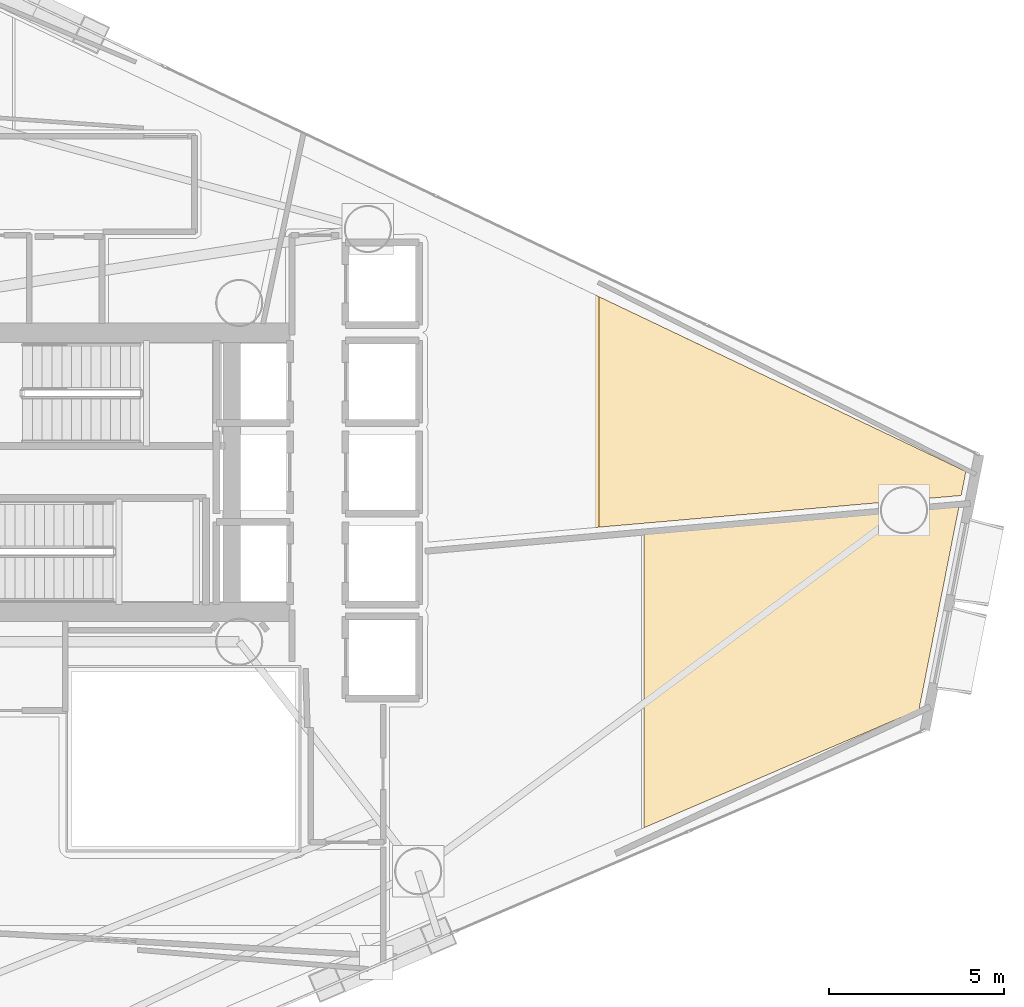
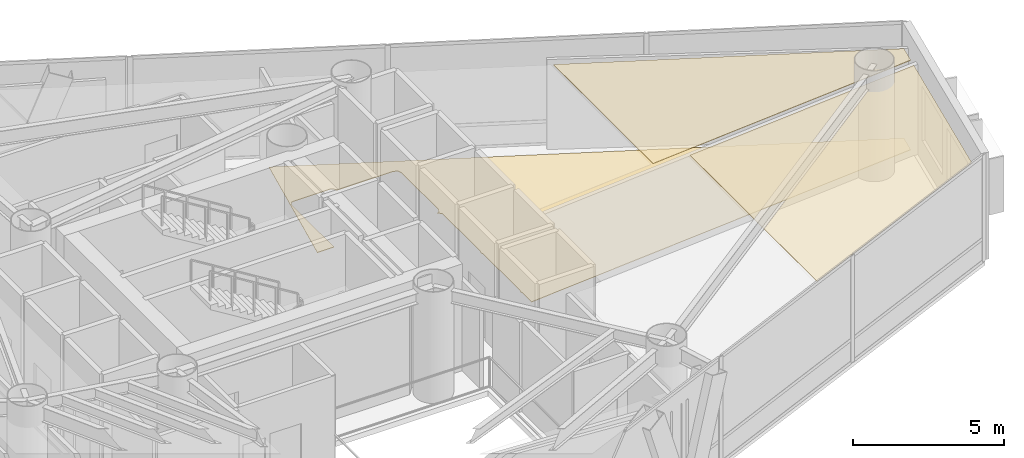
# One storey, part 21 of 21: 3 coverings.
"""IFC4 building model written with IfcOpenShell, lengths in metres."""

from ifc_helpers import new_model, si_unit, direction, frame, origin, place, context, subcontext, project, spatial, polyline, outline, extrude, material, layer, layer_set, type_object, element, save


model = new_model("IFC4")

# Units and contexts
model_context = context("Model", 3, precision=1e-05, world=origin(), true_north=direction((0.0, 1.0)))
body_context = subcontext(model_context, "Body", "Model", "MODEL_VIEW")
ifc_project = project(units=[si_unit("LENGTHUNIT", "METRE"), si_unit("AREAUNIT", "SQUARE_METRE"), si_unit("VOLUMEUNIT", "CUBIC_METRE"), si_unit("PLANEANGLEUNIT", "RADIAN"), si_unit("MASSUNIT", "GRAM", prefix="KILO")], contexts=[model_context])

# Site, building, storey
site_placement = place(None, origin())
site = spatial("IfcSite", under=ifc_project, at=site_placement, CompositionType="ELEMENT")
building_placement = place(site_placement, origin())
building = spatial("IfcBuilding", under=site, at=building_placement, Name="Qianvela Tower", CompositionType="ELEMENT")
storey_placement = place(building_placement, frame((0.0, 0.0, 143.10009765625)))
storey = spatial("IfcBuildingStorey", under=building, at=storey_placement, Name="L36", CompositionType="ELEMENT", Elevation=143.10009765625)

# Coverings
ifc_material_1 = material(Name="Perforated Mineral Acoustic Ceiling Tile")
ifc_layer_1 = layer(ifc_material_1, 0.02490234375)
ifc_layer_set_1 = layer_set([ifc_layer_1], Name="Perforated Mineral Acoustic Ceiling Tile")
covering_type_1 = type_object("IfcCoveringType", Name="COV-CEIL-ACOUSTIC-25", PredefinedType="CEILING", material=ifc_layer_set_1)
covering_1_placement = place(storey_placement, frame((0.0, 0.0, 3.614990234375)))
element("IfcCovering", 1, at=covering_1_placement, inside=storey, type_object=covering_type_1, Name="L36 Acoustic Ceiling Bay 2 L36 Shared Sky Kitchen and Cafe", PredefinedType="CEILING", context=body_context, shape_type="SweptSolid", body=[
    extrude(outline(polyline([(59.010986328125, 27.7314453125), (57.86328125, 21.904541015625), (49.99658203125, 18.527587890625), (49.99658203125, 26.942626953125), (59.010986328125, 27.7314453125)])), origin(), (0.0, 0.0, 1.0), 0.02490234375),
])
covering_2_placement = place(storey_placement, frame((0.0, 0.0, 3.614990234375)))
element("IfcCovering", 2, at=covering_2_placement, inside=storey, type_object=covering_type_1, Name="L36 Acoustic Ceiling Bay 2 L36 Academic Seminar Room", PredefinedType="CEILING", context=body_context, shape_type="SweptSolid", body=[
    extrude(outline(polyline([(59.206787109375, 28.72509765625), (59.0712890625, 28.037841796875), (48.69482421875, 27.1298828125), (48.69482421875, 33.73291015625), (59.206787109375, 28.72509765625)])), origin(), (0.0, 0.0, 1.0), 0.02490234375),
])
ifc_material_2 = material(Name="Engineered Acoustic Oak Timber Flooring", Category="wood")
ifc_layer_2 = layer(ifc_material_2, 0.02001953125)
ifc_layer_set_2 = layer_set([ifc_layer_2], Name="Engineered Acoustic Oak Timber Flooring")
covering_type_2 = type_object("IfcCoveringType", Name="COV-FLOOR-OAK-20", PredefinedType="FLOORING", material=ifc_layer_set_2)
covering_3_placement = place(storey_placement, origin())
element("IfcCovering", 3, at=covering_3_placement, inside=storey, type_object=covering_type_2, Name="L36 Finish Flooring L36 Academic Seminar Room", PredefinedType="FLOORING", context=body_context, shape_type="SweptSolid", body=[
    extrude(outline(polyline([(43.647216796875, 32.703125), (43.722412109375, 32.739013671875), (43.729248046875, 32.74267578125), (43.73583984375, 32.746826171875), (43.741943359375, 32.751953125), (43.74755859375, 32.757568359375), (43.75244140625, 32.763427734375), (43.7568359375, 32.77001953125), (43.760498046875, 32.777099609375), (43.763427734375, 32.7841796875), (43.79541015625, 32.873046875), (43.7978515625, 32.8818359375), (43.799560546875, 32.890869140625), (43.800048828125, 32.89990234375), (43.800048828125, 35.300048828125), (43.799560546875, 35.30908203125), (43.7978515625, 35.318115234375), (43.79541015625, 35.326904296875), (43.763427734375, 35.415771484375), (43.760498046875, 35.423095703125), (43.7568359375, 35.429931640625), (43.75244140625, 35.4365234375), (43.74755859375, 35.4423828125), (43.741943359375, 35.447998046875), (43.73583984375, 35.453125), (43.729248046875, 35.45751953125), (43.722412109375, 35.461181640625), (43.6142578125, 35.51220703125), (43.607666015625, 35.51513671875), (43.600830078125, 35.51708984375), (43.593994140625, 35.518798828125), (43.5869140625, 35.519775390625), (43.57958984375, 35.52001953125), (41.429931640625, 35.51123046875), (41.40625, 35.58740234375), (41.4033203125, 35.594970703125), (41.399658203125, 35.602294921875), (41.395263671875, 35.609375), (41.390380859375, 35.615966796875), (41.384521484375, 35.621826171875), (41.37841796875, 35.627197265625), (41.37158203125, 35.6318359375), (41.312255859375, 35.66796875), (41.305908203125, 35.67138671875), (41.299072265625, 35.67431640625), (41.2919921875, 35.6767578125), (41.284912109375, 35.67822265625), (41.277587890625, 35.67919921875), (41.27001953125, 35.6796875), (39.841796875, 35.670654296875), (39.83349609375, 35.670166015625), (39.825439453125, 35.668701171875), (39.817626953125, 35.66650390625), (39.809814453125, 35.663818359375), (39.802490234375, 35.659912109375), (39.795654296875, 35.655517578125), (39.789306640625, 35.650390625), (39.783447265625, 35.644775390625), (39.7783203125, 35.638427734375), (39.773681640625, 35.631591796875), (39.7314453125, 35.56103515625), (39.727294921875, 35.553466796875), (39.72412109375, 35.54541015625), (39.721923828125, 35.537109375), (39.720458984375, 35.528564453125), (39.719970703125, 35.52001953125), (39.719970703125, 32.719970703125), (39.081787109375, 32.719970703125), (40.1611328125, 37.798583984375), (59.206787109375, 28.72509765625), (59.0712890625, 28.037841796875), (43.7998046875, 26.70166015625), (43.79931640625, 27.313720703125), (43.799072265625, 27.32080078125), (43.798095703125, 27.327880859375), (43.79638671875, 27.3349609375), (43.794189453125, 27.341796875), (43.79150390625, 27.348388671875), (43.765625, 27.402099609375), (43.793701171875, 27.468994140625), (43.79638671875, 27.476318359375), (43.79833984375, 27.484130859375), (43.799560546875, 27.491943359375), (43.800048828125, 27.5), (43.800048828125, 29.89990234375), (43.799560546875, 29.907958984375), (43.79833984375, 29.915771484375), (43.79638671875, 29.923583984375), (43.793701171875, 29.93115234375), (43.7646484375, 30.0), (43.793701171875, 30.06884765625), (43.79638671875, 30.076416015625), (43.798583984375, 30.084228515625), (43.799560546875, 30.09228515625), (43.800048828125, 30.100341796875), (43.789306640625, 32.553955078125), (43.788818359375, 32.561767578125), (43.787841796875, 32.5693359375), (43.785888671875, 32.576904296875), (43.783203125, 32.584228515625), (43.77978515625, 32.59130859375), (43.77587890625, 32.59814453125), (43.771240234375, 32.604248046875), (43.719482421875, 32.667236328125), (43.71435546875, 32.673095703125), (43.70849609375, 32.67822265625), (43.7021484375, 32.682861328125), (43.695556640625, 32.68701171875), (43.6884765625, 32.690185546875), (43.680908203125, 32.693115234375), (43.647216796875, 32.703125)])), origin(), (0.0, 0.0, 1.0), 0.02001953125),
])

save(model, "model.ifc")
